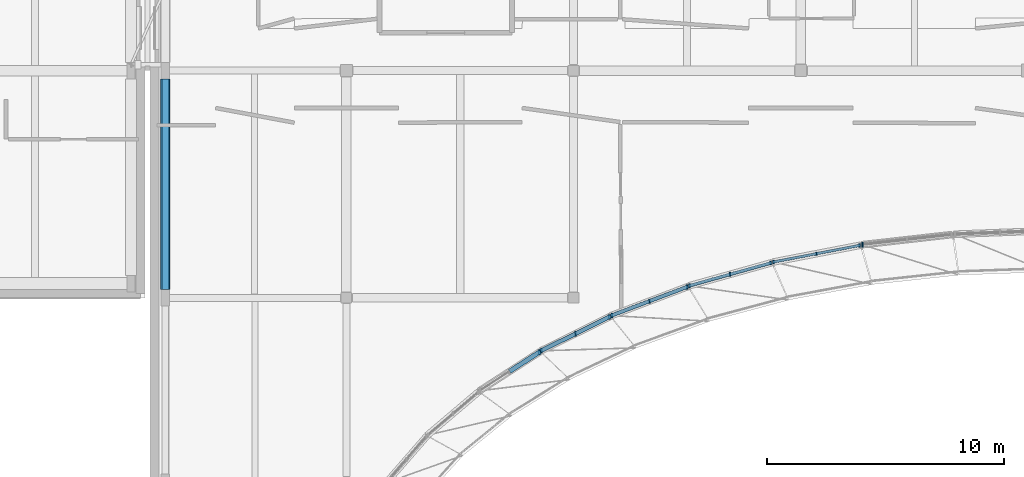
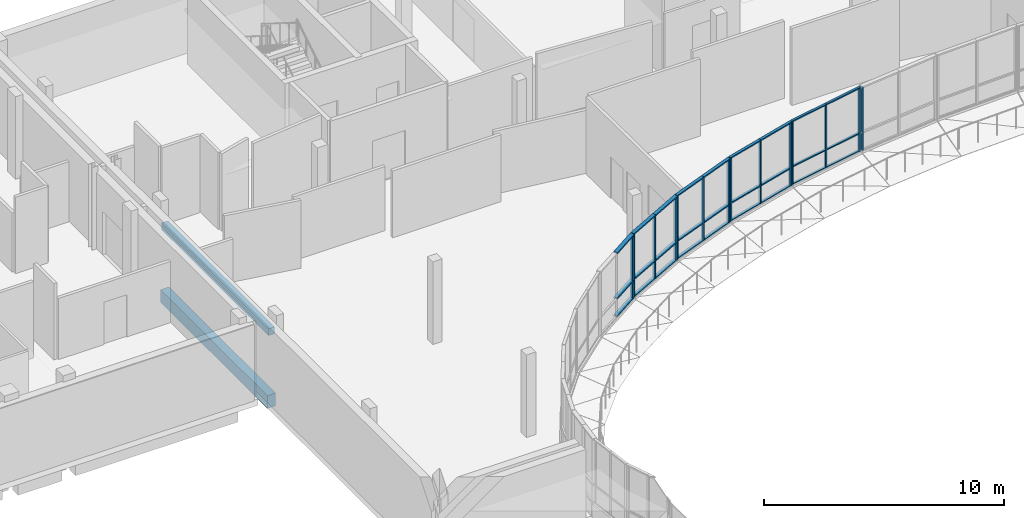
# One storey, part 21 of 73: 41 members, 2 beams, 6 elements without a shape of their own.
"""IFC4 building model written with IfcOpenShell, lengths in metres."""

from ifc_helpers import new_model, si_unit, direction, frame, origin, origin_2d, place, context, subcontext, project, spatial, rectangle, extrude, material, material_profile, profile_set, type_object, element, aggregate, save


model = new_model("IFC4")

# Units and contexts
model_context = context("Model", 3, precision=1e-05, world=origin(), true_north=direction((0.0, 1.0)))
body_context = subcontext(model_context, "Body", "Model", "MODEL_VIEW")
ifc_project = project(units=[si_unit("LENGTHUNIT", "METRE"), si_unit("AREAUNIT", "SQUARE_METRE"), si_unit("VOLUMEUNIT", "CUBIC_METRE"), si_unit("PLANEANGLEUNIT", "RADIAN"), si_unit("MASSUNIT", "GRAM", prefix="KILO")], contexts=[model_context])

# Site, building, storey
site_placement = place(None, origin())
site = spatial("IfcSite", under=ifc_project, at=site_placement, CompositionType="ELEMENT")
building_placement = place(site_placement, origin())
building = spatial("IfcBuilding", under=site, at=building_placement, Name="Mzevani Central Library", CompositionType="ELEMENT")
storey_placement = place(building_placement, frame((0.0, 0.0, 9.60009765625)))
storey = spatial("IfcBuildingStorey", under=building, at=storey_placement, Name="L02", CompositionType="ELEMENT", Elevation=9.60009765625)

# Beam
ifc_material_1 = material(Name="Concrete C35/45", Category="concrete")
ifc_material_profile_1 = material_profile(ifc_material_1, rectangle(XDim=0.39990234375, YDim=0.64990234375, at=origin_2d()), Name="RC B400x650")
ifc_profile_set_1 = profile_set([ifc_material_profile_1], Name="Concrete C35/45")
beam_type_1 = type_object("IfcBeamType", Name="Beam RC 400x650", PredefinedType="BEAM", material=ifc_profile_set_1)
beam_1_placement = place(storey_placement, frame((46.75, 90.75, -0.60498046875), z_axis=(0.0, 1.0, 0.0), x_axis=(-1.0, 0.0, 0.0)))
element("IfcBeam", 1, at=beam_1_placement, inside=storey, type_object=beam_type_1, Name="L02 V3 Frame Beam B-07 (590)", PredefinedType="BEAM", context=body_context, shape_type="SweptSolid", body=[
    extrude(rectangle(XDim=0.39990234375, YDim=0.64990234375, at=origin_2d()), origin(), (0.0, 0.0, 1.0), 8.89990234375),
])

# Curtain wall, members
ifc_material_2 = material(Name="Thermally broken aluminium and Low-E triple glazing", Category="aluminium")
curtain_wall_type_1 = type_object("IfcCurtainWallType", Name="Elliptical Court Unitised Curtain Wall", PredefinedType="NOTDEFINED", material=ifc_material_2)
curtain_wall_1_placement = place(storey_placement, origin())
curtain_wall_1 = element("IfcCurtainWall", 2, at=curtain_wall_1_placement, inside=storey, type_object=curtain_wall_type_1, Name="L02 Elliptical Court Curtain Wall 15", PredefinedType="NOTDEFINED")
ifc_material_3 = material(Name="Thermally broken aluminium AW-6060", Category="aluminium")
ifc_material_profile_2 = material_profile(ifc_material_3, rectangle(XDim=0.06005859375, YDim=0.139892578125, at=origin_2d()), Name="ALU M60x140")
ifc_profile_set_2 = profile_set([ifc_material_profile_2], Name="Thermally broken aluminium AW-6060")
member_type_1 = type_object("IfcMemberType", Name="CW Mullion 60x140", PredefinedType="MULLION", material=ifc_profile_set_2)
member_1_placement = place(storey_placement, frame((76.0732421875, 92.612060546875, 0.719970703125), z_axis=(0.0, 0.0, 1.0), x_axis=(1.0, 0.0, 0.0)))
member_1 = element("IfcMember", 3, at=member_1_placement, type_object=member_type_1, Name="L02 Elliptical Court Curtain Wall 15 Mullion 1", PredefinedType="MULLION", context=body_context, shape_type="SweptSolid", body=[
    extrude(rectangle(XDim=0.06005859375, YDim=0.139892578125, at=origin_2d()), origin(), (0.0, 0.0, 1.0), 3.199951171875),
])
member_2_placement = place(storey_placement, frame((74.264404296875, 92.263671875, 0.719970703125), z_axis=(0.0, 0.0, 1.0), x_axis=(1.0, 0.0, 0.0)))
member_2 = element("IfcMember", 4, at=member_2_placement, type_object=member_type_1, Name="L02 Elliptical Court Curtain Wall 15 Mullion 2", PredefinedType="MULLION", context=body_context, shape_type="SweptSolid", body=[
    extrude(rectangle(XDim=0.06005859375, YDim=0.139892578125, at=origin_2d()), origin(), (0.0, 0.0, 1.0), 3.199951171875),
])
member_3_placement = place(storey_placement, frame((72.45556640625, 91.91552734375, 0.719970703125), z_axis=(0.0, 0.0, 1.0), x_axis=(1.0, 0.0, 0.0)))
member_3 = element("IfcMember", 5, at=member_3_placement, type_object=member_type_1, Name="L02 Elliptical Court Curtain Wall 15 Mullion 3", PredefinedType="MULLION", context=body_context, shape_type="SweptSolid", body=[
    extrude(rectangle(XDim=0.06005859375, YDim=0.139892578125, at=origin_2d()), origin(), (0.0, 0.0, 1.0), 3.199951171875),
])

curtain_wall_type_2 = type_object("IfcCurtainWallType", Name="Reading Hall Northlight Curtain Wall", PredefinedType="NOTDEFINED", material=ifc_material_2)
curtain_wall_2_placement = place(storey_placement, origin())
curtain_wall_2 = element("IfcCurtainWall", 6, at=curtain_wall_2_placement, inside=storey, type_object=curtain_wall_type_2, Name="L02 Elliptical Court Curtain Wall 16", PredefinedType="NOTDEFINED")
ifc_material_profile_3 = material_profile(ifc_material_3, rectangle(XDim=0.06005859375, YDim=0.159912109375, at=origin_2d()), Name="ALU M60x160")
ifc_profile_set_3 = profile_set([ifc_material_profile_3], Name="Thermally broken aluminium AW-6060")
member_type_2 = type_object("IfcMemberType", Name="CW Mullion 60x160", PredefinedType="MULLION", material=ifc_profile_set_3)
member_4_placement = place(storey_placement, frame((72.326904296875, 91.869873046875, 0.719970703125), z_axis=(0.0, 0.0, 1.0), x_axis=(1.0, 0.0, 0.0)))
member_4 = element("IfcMember", 7, at=member_4_placement, type_object=member_type_2, Name="L02 Elliptical Court Curtain Wall 16 Mullion 1", PredefinedType="MULLION", context=body_context, shape_type="SweptSolid", body=[
    extrude(rectangle(XDim=0.06005859375, YDim=0.159912109375, at=origin_2d()), origin(), (0.0, 0.0, 1.0), 3.199951171875),
])
member_5_placement = place(storey_placement, frame((70.615234375, 91.39111328125, 0.719970703125), z_axis=(0.0, 0.0, 1.0), x_axis=(1.0, 0.0, 0.0)))
member_5 = element("IfcMember", 8, at=member_5_placement, type_object=member_type_2, Name="L02 Elliptical Court Curtain Wall 16 Mullion 2", PredefinedType="MULLION", context=body_context, shape_type="SweptSolid", body=[
    extrude(rectangle(XDim=0.06005859375, YDim=0.159912109375, at=origin_2d()), origin(), (0.0, 0.0, 1.0), 3.199951171875),
])
member_6_placement = place(storey_placement, frame((68.90380859375, 90.91259765625, 0.719970703125), z_axis=(0.0, 0.0, 1.0), x_axis=(1.0, 0.0, 0.0)))
member_6 = element("IfcMember", 9, at=member_6_placement, type_object=member_type_2, Name="L02 Elliptical Court Curtain Wall 16 Mullion 3", PredefinedType="MULLION", context=body_context, shape_type="SweptSolid", body=[
    extrude(rectangle(XDim=0.06005859375, YDim=0.159912109375, at=origin_2d()), origin(), (0.0, 0.0, 1.0), 3.199951171875),
])

curtain_wall_3_placement = place(storey_placement, origin())
curtain_wall_3 = element("IfcCurtainWall", 10, at=curtain_wall_3_placement, inside=storey, type_object=curtain_wall_type_1, Name="L02 Elliptical Court Curtain Wall 17", PredefinedType="NOTDEFINED")
ifc_material_profile_4 = material_profile(ifc_material_3, rectangle(XDim=0.06005859375, YDim=0.179931640625, at=origin_2d()), Name="ALU M60x180")
ifc_profile_set_4 = profile_set([ifc_material_profile_4], Name="Thermally broken aluminium AW-6060")
member_type_3 = type_object("IfcMemberType", Name="CW Mullion 60x180", PredefinedType="MULLION", material=ifc_profile_set_4)
member_7_placement = place(storey_placement, frame((68.78564453125, 90.857666015625, 0.719970703125), z_axis=(0.0, 0.0, 1.0), x_axis=(1.0, 0.0, 0.0)))
member_7 = element("IfcMember", 11, at=member_7_placement, type_object=member_type_3, Name="L02 Elliptical Court Curtain Wall 17 Mullion 1", PredefinedType="MULLION", context=body_context, shape_type="SweptSolid", body=[
    extrude(rectangle(XDim=0.06005859375, YDim=0.179931640625, at=origin_2d()), origin(), (0.0, 0.0, 1.0), 3.199951171875),
])
member_8_placement = place(storey_placement, frame((67.200927734375, 90.25732421875, 0.719970703125), z_axis=(0.0, 0.0, 1.0), x_axis=(1.0, 0.0, 0.0)))
member_8 = element("IfcMember", 12, at=member_8_placement, type_object=member_type_3, Name="L02 Elliptical Court Curtain Wall 17 Mullion 2", PredefinedType="MULLION", context=body_context, shape_type="SweptSolid", body=[
    extrude(rectangle(XDim=0.06005859375, YDim=0.179931640625, at=origin_2d()), origin(), (0.0, 0.0, 1.0), 3.199951171875),
])
member_9_placement = place(storey_placement, frame((65.6162109375, 89.65673828125, 0.719970703125), z_axis=(0.0, 0.0, 1.0), x_axis=(1.0, 0.0, 0.0)))
member_9 = element("IfcMember", 13, at=member_9_placement, type_object=member_type_3, Name="L02 Elliptical Court Curtain Wall 17 Mullion 3", PredefinedType="MULLION", context=body_context, shape_type="SweptSolid", body=[
    extrude(rectangle(XDim=0.06005859375, YDim=0.179931640625, at=origin_2d()), origin(), (0.0, 0.0, 1.0), 3.199951171875),
])

curtain_wall_4_placement = place(storey_placement, origin())
curtain_wall_4 = element("IfcCurtainWall", 14, at=curtain_wall_4_placement, inside=storey, type_object=curtain_wall_type_1, Name="L02 Elliptical Court Curtain Wall 18", PredefinedType="NOTDEFINED")
ifc_material_profile_5 = material_profile(ifc_material_3, rectangle(XDim=0.06494140625, YDim=0.199951171875, at=origin_2d()), Name="ALU M65x200")
ifc_profile_set_5 = profile_set([ifc_material_profile_5], Name="Thermally broken aluminium AW-6060")
member_type_4 = type_object("IfcMemberType", Name="CW Mullion 65x200", PredefinedType="MULLION", material=ifc_profile_set_5)
member_10_placement = place(storey_placement, frame((65.507568359375, 89.593994140625, 0.719970703125), z_axis=(0.0, 0.0, 1.0), x_axis=(1.0, 0.0, 0.0)))
member_10 = element("IfcMember", 15, at=member_10_placement, type_object=member_type_4, Name="L02 Elliptical Court Curtain Wall 18 Mullion 1", PredefinedType="MULLION", context=body_context, shape_type="SweptSolid", body=[
    extrude(rectangle(XDim=0.06494140625, YDim=0.199951171875, at=origin_2d()), origin(), (0.0, 0.0, 1.0), 3.199951171875),
])
member_11_placement = place(storey_placement, frame((64.0771484375, 88.882568359375, 0.719970703125), z_axis=(0.0, 0.0, 1.0), x_axis=(1.0, 0.0, 0.0)))
member_11 = element("IfcMember", 16, at=member_11_placement, type_object=member_type_4, Name="L02 Elliptical Court Curtain Wall 18 Mullion 2", PredefinedType="MULLION", context=body_context, shape_type="SweptSolid", body=[
    extrude(rectangle(XDim=0.06494140625, YDim=0.199951171875, at=origin_2d()), origin(), (0.0, 0.0, 1.0), 3.199951171875),
])
member_12_placement = place(storey_placement, frame((62.64697265625, 88.171142578125, 0.719970703125), z_axis=(0.0, 0.0, 1.0), x_axis=(1.0, 0.0, 0.0)))
member_12 = element("IfcMember", 17, at=member_12_placement, type_object=member_type_4, Name="L02 Elliptical Court Curtain Wall 18 Mullion 3", PredefinedType="MULLION", context=body_context, shape_type="SweptSolid", body=[
    extrude(rectangle(XDim=0.06494140625, YDim=0.199951171875, at=origin_2d()), origin(), (0.0, 0.0, 1.0), 3.199951171875),
])

# Curtain wall, member
curtain_wall_5_placement = place(storey_placement, origin())
curtain_wall_5 = element("IfcCurtainWall", 18, at=curtain_wall_5_placement, inside=storey, type_object=curtain_wall_type_1, Name="L02 Elliptical Court Curtain Wall 14", PredefinedType="NOTDEFINED")
ifc_material_profile_6 = material_profile(ifc_material_3, rectangle(XDim=0.070068359375, YDim=0.219970703125, at=origin_2d()), Name="ALU M70x220")
ifc_profile_set_6 = profile_set([ifc_material_profile_6], Name="Thermally broken aluminium AW-6060")
member_type_5 = type_object("IfcMemberType", Name="CW Mullion 70x220", PredefinedType="MULLION", material=ifc_profile_set_6)
member_13_placement = place(storey_placement, frame((76.212158203125, 92.645751953125, 0.719970703125), z_axis=(0.0, 0.0, 1.0), x_axis=(1.0, 0.0, 0.0)))
member_13 = element("IfcMember", 19, at=member_13_placement, type_object=member_type_5, Name="L02 Elliptical Court Curtain Wall 14 Mullion 3", PredefinedType="MULLION", context=body_context, shape_type="SweptSolid", body=[
    extrude(rectangle(XDim=0.070068359375, YDim=0.219970703125, at=origin_2d()), origin(), (0.0, 0.0, 1.0), 3.199951171875),
])
aggregate(curtain_wall_5, [member_13])

curtain_wall_6_placement = place(storey_placement, origin())
curtain_wall_6 = element("IfcCurtainWall", 20, at=curtain_wall_6_placement, inside=storey, type_object=curtain_wall_type_2, Name="L02 Elliptical Court Curtain Wall 19", PredefinedType="NOTDEFINED")
member_14_placement = place(storey_placement, frame((62.5478515625, 88.100341796875, 0.719970703125), z_axis=(0.0, 0.0, 1.0), x_axis=(1.0, 0.0, 0.0)))
member_14 = element("IfcMember", 21, at=member_14_placement, type_object=member_type_5, Name="L02 Elliptical Court Curtain Wall 19 Mullion 1", PredefinedType="MULLION", context=body_context, shape_type="SweptSolid", body=[
    extrude(rectangle(XDim=0.070068359375, YDim=0.219970703125, at=origin_2d()), origin(), (0.0, 0.0, 1.0), 3.199951171875),
])

# Member
ifc_material_profile_7 = material_profile(ifc_material_3, rectangle(XDim=0.110107421875, YDim=0.06005859375, at=origin_2d()), Name="ALU T60x110")
ifc_profile_set_7 = profile_set([ifc_material_profile_7], Name="Thermally broken aluminium AW-6060")
member_type_6 = type_object("IfcMemberType", Name="CW Transom 60x110", PredefinedType="USERDEFINED", material=ifc_profile_set_7)
member_15_placement = place(storey_placement, frame((76.122314453125, 92.621337890625, 0.719970703125), z_axis=(-0.981969613273, -0.189038828311, 0.0), x_axis=(0.189038828311, -0.981969613273, 0.0)))
member_15 = element("IfcMember", 22, at=member_15_placement, type_object=member_type_6, Name="L02 Elliptical Court Curtain Wall 15 Transom 1", ObjectType="TRANSOM", PredefinedType="USERDEFINED", context=body_context, shape_type="SweptSolid", body=[
    extrude(rectangle(XDim=0.110107421875, YDim=0.06005859375, at=origin_2d()), origin(), (0.0, 0.0, 1.0), 1.89208984375),
])

member_16_placement = place(storey_placement, frame((76.122314453125, 92.621337890625, 1.619873046875), z_axis=(-0.981969613273, -0.189038828311, 0.0), x_axis=(0.189038828311, -0.981969613273, 0.0)))
member_16 = element("IfcMember", 23, at=member_16_placement, type_object=member_type_6, Name="L02 Elliptical Court Curtain Wall 15 Transom 2", ObjectType="TRANSOM", PredefinedType="USERDEFINED", context=body_context, shape_type="SweptSolid", body=[
    extrude(rectangle(XDim=0.110107421875, YDim=0.06005859375, at=origin_2d()), origin(), (0.0, 0.0, 1.0), 1.89208984375),
])

member_17_placement = place(storey_placement, frame((76.122314453125, 92.621337890625, 3.919921875), z_axis=(-0.981969613273, -0.189038828311, 0.0), x_axis=(0.189038828311, -0.981969613273, 0.0)))
member_17 = element("IfcMember", 24, at=member_17_placement, type_object=member_type_6, Name="L02 Elliptical Court Curtain Wall 15 Transom 3", ObjectType="TRANSOM", PredefinedType="USERDEFINED", context=body_context, shape_type="SweptSolid", body=[
    extrude(rectangle(XDim=0.110107421875, YDim=0.06005859375, at=origin_2d()), origin(), (0.0, 0.0, 1.0), 1.89208984375),
])

member_18_placement = place(storey_placement, frame((74.264404296875, 92.263671875, 0.719970703125), z_axis=(-0.981969613273, -0.189038828311, 0.0), x_axis=(0.189038828311, -0.981969613273, 0.0)))
member_18 = element("IfcMember", 25, at=member_18_placement, type_object=member_type_6, Name="L02 Elliptical Court Curtain Wall 15 Transom 4", ObjectType="TRANSOM", PredefinedType="USERDEFINED", context=body_context, shape_type="SweptSolid", body=[
    extrude(rectangle(XDim=0.110107421875, YDim=0.06005859375, at=origin_2d()), origin(), (0.0, 0.0, 1.0), 1.89208984375),
])

member_19_placement = place(storey_placement, frame((74.264404296875, 92.263671875, 1.619873046875), z_axis=(-0.981969613273, -0.189038828311, 0.0), x_axis=(0.189038828311, -0.981969613273, 0.0)))
member_19 = element("IfcMember", 26, at=member_19_placement, type_object=member_type_6, Name="L02 Elliptical Court Curtain Wall 15 Transom 5", ObjectType="TRANSOM", PredefinedType="USERDEFINED", context=body_context, shape_type="SweptSolid", body=[
    extrude(rectangle(XDim=0.110107421875, YDim=0.06005859375, at=origin_2d()), origin(), (0.0, 0.0, 1.0), 1.89208984375),
])

member_20_placement = place(storey_placement, frame((74.264404296875, 92.263671875, 3.919921875), z_axis=(-0.981969613273, -0.189038828311, 0.0), x_axis=(0.189038828311, -0.981969613273, 0.0)))
member_20 = element("IfcMember", 27, at=member_20_placement, type_object=member_type_6, Name="L02 Elliptical Court Curtain Wall 15 Transom 6", ObjectType="TRANSOM", PredefinedType="USERDEFINED", context=body_context, shape_type="SweptSolid", body=[
    extrude(rectangle(XDim=0.110107421875, YDim=0.06005859375, at=origin_2d()), origin(), (0.0, 0.0, 1.0), 1.89208984375),
])

aggregate(curtain_wall_1, [member_1, member_2, member_3, member_15, member_16, member_17, member_18, member_19, member_20])

ifc_material_profile_8 = material_profile(ifc_material_3, rectangle(XDim=0.1298828125, YDim=0.06005859375, at=origin_2d()), Name="ALU T60x130")
ifc_profile_set_8 = profile_set([ifc_material_profile_8], Name="Thermally broken aluminium AW-6060")
member_type_7 = type_object("IfcMemberType", Name="CW Transom 60x130", PredefinedType="USERDEFINED", material=ifc_profile_set_8)
member_21_placement = place(storey_placement, frame((72.375, 91.88330078125, 0.719970703125), z_axis=(-0.963041686068, -0.269352391664, 0.0), x_axis=(0.269352391664, -0.963041686068, 0.0)))
member_21 = element("IfcMember", 28, at=member_21_placement, type_object=member_type_7, Name="L02 Elliptical Court Curtain Wall 16 Transom 1", ObjectType="TRANSOM", PredefinedType="USERDEFINED", context=body_context, shape_type="SweptSolid", body=[
    extrude(rectangle(XDim=0.1298828125, YDim=0.06005859375, at=origin_2d()), origin(), (0.0, 0.0, 1.0), 1.827392578125),
])

member_22_placement = place(storey_placement, frame((72.375, 91.88330078125, 1.619873046875), z_axis=(-0.963041686068, -0.269352391664, 0.0), x_axis=(0.269352391664, -0.963041686068, 0.0)))
member_22 = element("IfcMember", 29, at=member_22_placement, type_object=member_type_7, Name="L02 Elliptical Court Curtain Wall 16 Transom 2", ObjectType="TRANSOM", PredefinedType="USERDEFINED", context=body_context, shape_type="SweptSolid", body=[
    extrude(rectangle(XDim=0.1298828125, YDim=0.06005859375, at=origin_2d()), origin(), (0.0, 0.0, 1.0), 1.827392578125),
])

member_23_placement = place(storey_placement, frame((72.375, 91.88330078125, 3.919921875), z_axis=(-0.963041686068, -0.269352391664, 0.0), x_axis=(0.269352391664, -0.963041686068, 0.0)))
member_23 = element("IfcMember", 30, at=member_23_placement, type_object=member_type_7, Name="L02 Elliptical Court Curtain Wall 16 Transom 3", ObjectType="TRANSOM", PredefinedType="USERDEFINED", context=body_context, shape_type="SweptSolid", body=[
    extrude(rectangle(XDim=0.1298828125, YDim=0.06005859375, at=origin_2d()), origin(), (0.0, 0.0, 1.0), 1.827392578125),
])

member_24_placement = place(storey_placement, frame((70.615234375, 91.39111328125, 0.719970703125), z_axis=(-0.963066650154, -0.269263119198, 0.0), x_axis=(0.269263119198, -0.963066650154, 0.0)))
member_24 = element("IfcMember", 31, at=member_24_placement, type_object=member_type_7, Name="L02 Elliptical Court Curtain Wall 16 Transom 4", ObjectType="TRANSOM", PredefinedType="USERDEFINED", context=body_context, shape_type="SweptSolid", body=[
    extrude(rectangle(XDim=0.1298828125, YDim=0.06005859375, at=origin_2d()), origin(), (0.0, 0.0, 1.0), 1.826904296875),
])

member_25_placement = place(storey_placement, frame((70.615234375, 91.39111328125, 1.619873046875), z_axis=(-0.963066650154, -0.269263119198, 0.0), x_axis=(0.269263119198, -0.963066650154, 0.0)))
member_25 = element("IfcMember", 32, at=member_25_placement, type_object=member_type_7, Name="L02 Elliptical Court Curtain Wall 16 Transom 5", ObjectType="TRANSOM", PredefinedType="USERDEFINED", context=body_context, shape_type="SweptSolid", body=[
    extrude(rectangle(XDim=0.1298828125, YDim=0.06005859375, at=origin_2d()), origin(), (0.0, 0.0, 1.0), 1.826904296875),
])

member_26_placement = place(storey_placement, frame((70.615234375, 91.39111328125, 3.919921875), z_axis=(-0.963066650154, -0.269263119198, 0.0), x_axis=(0.269263119198, -0.963066650154, 0.0)))
member_26 = element("IfcMember", 33, at=member_26_placement, type_object=member_type_7, Name="L02 Elliptical Court Curtain Wall 16 Transom 6", ObjectType="TRANSOM", PredefinedType="USERDEFINED", context=body_context, shape_type="SweptSolid", body=[
    extrude(rectangle(XDim=0.1298828125, YDim=0.06005859375, at=origin_2d()), origin(), (0.0, 0.0, 1.0), 1.826904296875),
])

aggregate(curtain_wall_2, [member_4, member_5, member_6, member_21, member_22, member_23, member_24, member_25, member_26])

ifc_material_profile_9 = material_profile(ifc_material_3, rectangle(XDim=0.14990234375, YDim=0.06005859375, at=origin_2d()), Name="ALU T60x150")
ifc_profile_set_9 = profile_set([ifc_material_profile_9], Name="Thermally broken aluminium AW-6060")
member_type_8 = type_object("IfcMemberType", Name="CW Transom 60x150", PredefinedType="USERDEFINED", material=ifc_profile_set_9)
member_27_placement = place(storey_placement, frame((68.832275390625, 90.87548828125, 0.719970703125), z_axis=(-0.93511588963, -0.354342028217, 0.0), x_axis=(0.354342028217, -0.93511588963, 0.0)))
member_27 = element("IfcMember", 34, at=member_27_placement, type_object=member_type_8, Name="L02 Elliptical Court Curtain Wall 17 Transom 1", ObjectType="TRANSOM", PredefinedType="USERDEFINED", context=body_context, shape_type="SweptSolid", body=[
    extrude(rectangle(XDim=0.14990234375, YDim=0.06005859375, at=origin_2d()), origin(), (0.0, 0.0, 1.0), 1.74462890625),
])

member_28_placement = place(storey_placement, frame((68.832275390625, 90.87548828125, 1.619873046875), z_axis=(-0.93511588963, -0.354342028217, 0.0), x_axis=(0.354342028217, -0.93511588963, 0.0)))
member_28 = element("IfcMember", 35, at=member_28_placement, type_object=member_type_8, Name="L02 Elliptical Court Curtain Wall 17 Transom 2", ObjectType="TRANSOM", PredefinedType="USERDEFINED", context=body_context, shape_type="SweptSolid", body=[
    extrude(rectangle(XDim=0.14990234375, YDim=0.06005859375, at=origin_2d()), origin(), (0.0, 0.0, 1.0), 1.74462890625),
])

member_29_placement = place(storey_placement, frame((68.832275390625, 90.87548828125, 3.919921875), z_axis=(-0.93511588963, -0.354342028217, 0.0), x_axis=(0.354342028217, -0.93511588963, 0.0)))
member_29 = element("IfcMember", 36, at=member_29_placement, type_object=member_type_8, Name="L02 Elliptical Court Curtain Wall 17 Transom 3", ObjectType="TRANSOM", PredefinedType="USERDEFINED", context=body_context, shape_type="SweptSolid", body=[
    extrude(rectangle(XDim=0.14990234375, YDim=0.06005859375, at=origin_2d()), origin(), (0.0, 0.0, 1.0), 1.74462890625),
])

member_30_placement = place(storey_placement, frame((67.200927734375, 90.25732421875, 0.719970703125), z_axis=(-0.935133457498, -0.354295662784, 0.0), x_axis=(0.354295662784, -0.935133457498, 0.0)))
member_30 = element("IfcMember", 37, at=member_30_placement, type_object=member_type_8, Name="L02 Elliptical Court Curtain Wall 17 Transom 4", ObjectType="TRANSOM", PredefinedType="USERDEFINED", context=body_context, shape_type="SweptSolid", body=[
    extrude(rectangle(XDim=0.14990234375, YDim=0.06005859375, at=origin_2d()), origin(), (0.0, 0.0, 1.0), 1.744873046875),
])

member_31_placement = place(storey_placement, frame((67.200927734375, 90.25732421875, 1.619873046875), z_axis=(-0.935133457498, -0.354295662784, 0.0), x_axis=(0.354295662784, -0.935133457498, 0.0)))
member_31 = element("IfcMember", 38, at=member_31_placement, type_object=member_type_8, Name="L02 Elliptical Court Curtain Wall 17 Transom 5", ObjectType="TRANSOM", PredefinedType="USERDEFINED", context=body_context, shape_type="SweptSolid", body=[
    extrude(rectangle(XDim=0.14990234375, YDim=0.06005859375, at=origin_2d()), origin(), (0.0, 0.0, 1.0), 1.744873046875),
])

member_32_placement = place(storey_placement, frame((67.200927734375, 90.25732421875, 3.919921875), z_axis=(-0.935133457498, -0.354295662784, 0.0), x_axis=(0.354295662784, -0.935133457498, 0.0)))
member_32 = element("IfcMember", 39, at=member_32_placement, type_object=member_type_8, Name="L02 Elliptical Court Curtain Wall 17 Transom 6", ObjectType="TRANSOM", PredefinedType="USERDEFINED", context=body_context, shape_type="SweptSolid", body=[
    extrude(rectangle(XDim=0.14990234375, YDim=0.06005859375, at=origin_2d()), origin(), (0.0, 0.0, 1.0), 1.744873046875),
])

aggregate(curtain_wall_3, [member_7, member_8, member_9, member_27, member_28, member_29, member_30, member_31, member_32])

ifc_material_profile_10 = material_profile(ifc_material_3, rectangle(XDim=0.169921875, YDim=0.06494140625, at=origin_2d()), Name="ALU T65x170")
ifc_profile_set_10 = profile_set([ifc_material_profile_10], Name="Thermally broken aluminium AW-6060")
member_type_9 = type_object("IfcMemberType", Name="CW Transom 65x170", PredefinedType="USERDEFINED", material=ifc_profile_set_10)
member_33_placement = place(storey_placement, frame((65.552490234375, 89.6162109375, 0.719970703125), z_axis=(-0.895402987273, -0.445256656753, 0.0), x_axis=(0.445256656753, -0.895402987273, 0.0)))
member_33 = element("IfcMember", 40, at=member_33_placement, type_object=member_type_9, Name="L02 Elliptical Court Curtain Wall 18 Transom 1", ObjectType="TRANSOM", PredefinedType="USERDEFINED", context=body_context, shape_type="SweptSolid", body=[
    extrude(rectangle(XDim=0.169921875, YDim=0.06494140625, at=origin_2d()), origin(), (0.0, 0.0, 1.0), 1.647705078125),
])

member_34_placement = place(storey_placement, frame((65.552490234375, 89.6162109375, 1.619873046875), z_axis=(-0.895402987273, -0.445256656753, 0.0), x_axis=(0.445256656753, -0.895402987273, 0.0)))
member_34 = element("IfcMember", 41, at=member_34_placement, type_object=member_type_9, Name="L02 Elliptical Court Curtain Wall 18 Transom 2", ObjectType="TRANSOM", PredefinedType="USERDEFINED", context=body_context, shape_type="SweptSolid", body=[
    extrude(rectangle(XDim=0.169921875, YDim=0.06494140625, at=origin_2d()), origin(), (0.0, 0.0, 1.0), 1.647705078125),
])

member_35_placement = place(storey_placement, frame((65.552490234375, 89.6162109375, 3.919921875), z_axis=(-0.895402987273, -0.445256656753, 0.0), x_axis=(0.445256656753, -0.895402987273, 0.0)))
member_35 = element("IfcMember", 42, at=member_35_placement, type_object=member_type_9, Name="L02 Elliptical Court Curtain Wall 18 Transom 3", ObjectType="TRANSOM", PredefinedType="USERDEFINED", context=body_context, shape_type="SweptSolid", body=[
    extrude(rectangle(XDim=0.169921875, YDim=0.06494140625, at=origin_2d()), origin(), (0.0, 0.0, 1.0), 1.647705078125),
])

member_36_placement = place(storey_placement, frame((64.0771484375, 88.882568359375, 0.719970703125), z_axis=(-0.895373605823, -0.445315737421, 0.0), x_axis=(0.445315737421, -0.895373605823, 0.0)))
member_36 = element("IfcMember", 43, at=member_36_placement, type_object=member_type_9, Name="L02 Elliptical Court Curtain Wall 18 Transom 4", ObjectType="TRANSOM", PredefinedType="USERDEFINED", context=body_context, shape_type="SweptSolid", body=[
    extrude(rectangle(XDim=0.169921875, YDim=0.06494140625, at=origin_2d()), origin(), (0.0, 0.0, 1.0), 1.6474609375),
])

member_37_placement = place(storey_placement, frame((64.0771484375, 88.882568359375, 1.619873046875), z_axis=(-0.895373605823, -0.445315737421, 0.0), x_axis=(0.445315737421, -0.895373605823, 0.0)))
member_37 = element("IfcMember", 44, at=member_37_placement, type_object=member_type_9, Name="L02 Elliptical Court Curtain Wall 18 Transom 5", ObjectType="TRANSOM", PredefinedType="USERDEFINED", context=body_context, shape_type="SweptSolid", body=[
    extrude(rectangle(XDim=0.169921875, YDim=0.06494140625, at=origin_2d()), origin(), (0.0, 0.0, 1.0), 1.6474609375),
])

member_38_placement = place(storey_placement, frame((64.0771484375, 88.882568359375, 3.919921875), z_axis=(-0.895373605823, -0.445315737421, 0.0), x_axis=(0.445315737421, -0.895373605823, 0.0)))
member_38 = element("IfcMember", 45, at=member_38_placement, type_object=member_type_9, Name="L02 Elliptical Court Curtain Wall 18 Transom 6", ObjectType="TRANSOM", PredefinedType="USERDEFINED", context=body_context, shape_type="SweptSolid", body=[
    extrude(rectangle(XDim=0.169921875, YDim=0.06494140625, at=origin_2d()), origin(), (0.0, 0.0, 1.0), 1.6474609375),
])

aggregate(curtain_wall_4, [member_10, member_11, member_12, member_33, member_34, member_35, member_36, member_37, member_38])

ifc_material_profile_11 = material_profile(ifc_material_3, rectangle(XDim=0.18994140625, YDim=0.070068359375, at=origin_2d()), Name="ALU T70x190")
ifc_profile_set_11 = profile_set([ifc_material_profile_11], Name="Thermally broken aluminium AW-6060")
member_type_10 = type_object("IfcMemberType", Name="CW Transom 70x190", PredefinedType="USERDEFINED", material=ifc_profile_set_11)
member_39_placement = place(storey_placement, frame((62.58984375, 88.12744140625, 0.719970703125), z_axis=(-0.839769936055, -0.542942404402, 0.0), x_axis=(0.542942404402, -0.839769936055, 0.0)))
member_39 = element("IfcMember", 46, at=member_39_placement, type_object=member_type_10, Name="L02 Elliptical Court Curtain Wall 19 Transom 1", ObjectType="TRANSOM", PredefinedType="USERDEFINED", context=body_context, shape_type="SweptSolid", body=[
    extrude(rectangle(XDim=0.18994140625, YDim=0.070068359375, at=origin_2d()), origin(), (0.0, 0.0, 1.0), 1.54052734375),
])

member_40_placement = place(storey_placement, frame((62.58984375, 88.12744140625, 1.619873046875), z_axis=(-0.839769936055, -0.542942404402, 0.0), x_axis=(0.542942404402, -0.839769936055, 0.0)))
member_40 = element("IfcMember", 47, at=member_40_placement, type_object=member_type_10, Name="L02 Elliptical Court Curtain Wall 19 Transom 2", ObjectType="TRANSOM", PredefinedType="USERDEFINED", context=body_context, shape_type="SweptSolid", body=[
    extrude(rectangle(XDim=0.18994140625, YDim=0.070068359375, at=origin_2d()), origin(), (0.0, 0.0, 1.0), 1.54052734375),
])

member_41_placement = place(storey_placement, frame((62.58984375, 88.12744140625, 3.919921875), z_axis=(-0.839769936055, -0.542942404402, 0.0), x_axis=(0.542942404402, -0.839769936055, 0.0)))
member_41 = element("IfcMember", 48, at=member_41_placement, type_object=member_type_10, Name="L02 Elliptical Court Curtain Wall 19 Transom 3", ObjectType="TRANSOM", PredefinedType="USERDEFINED", context=body_context, shape_type="SweptSolid", body=[
    extrude(rectangle(XDim=0.18994140625, YDim=0.070068359375, at=origin_2d()), origin(), (0.0, 0.0, 1.0), 1.54052734375),
])

aggregate(curtain_wall_6, [member_14, member_39, member_40, member_41])

# Beam
ifc_material_4 = material(Name="Precast concrete C40/50", Category="concrete")
ifc_material_profile_12 = material_profile(ifc_material_4, rectangle(XDim=0.300048828125, YDim=0.35009765625, at=origin_2d()), Name="PC LN300x350")
ifc_profile_set_12 = profile_set([ifc_material_profile_12], Name="Precast concrete C40/50")
beam_type_2 = type_object("IfcBeamType", Name="Precast Window Lintel 300x350", PredefinedType="LINTEL", material=ifc_profile_set_12)
beam_2_placement = place(storey_placement, frame((46.75, 90.75, 2.9248046875), z_axis=(0.0, 1.0, 0.0), x_axis=(-1.0, 0.0, 0.0)))
element("IfcBeam", 49, at=beam_2_placement, inside=storey, type_object=beam_type_2, Name="L02 V3 Precast Portal Lintel (52)", PredefinedType="LINTEL", context=body_context, shape_type="SweptSolid", body=[
    extrude(rectangle(XDim=0.300048828125, YDim=0.35009765625, at=origin_2d()), origin(), (0.0, 0.0, 1.0), 8.89990234375),
])

save(model, "model.ifc")
